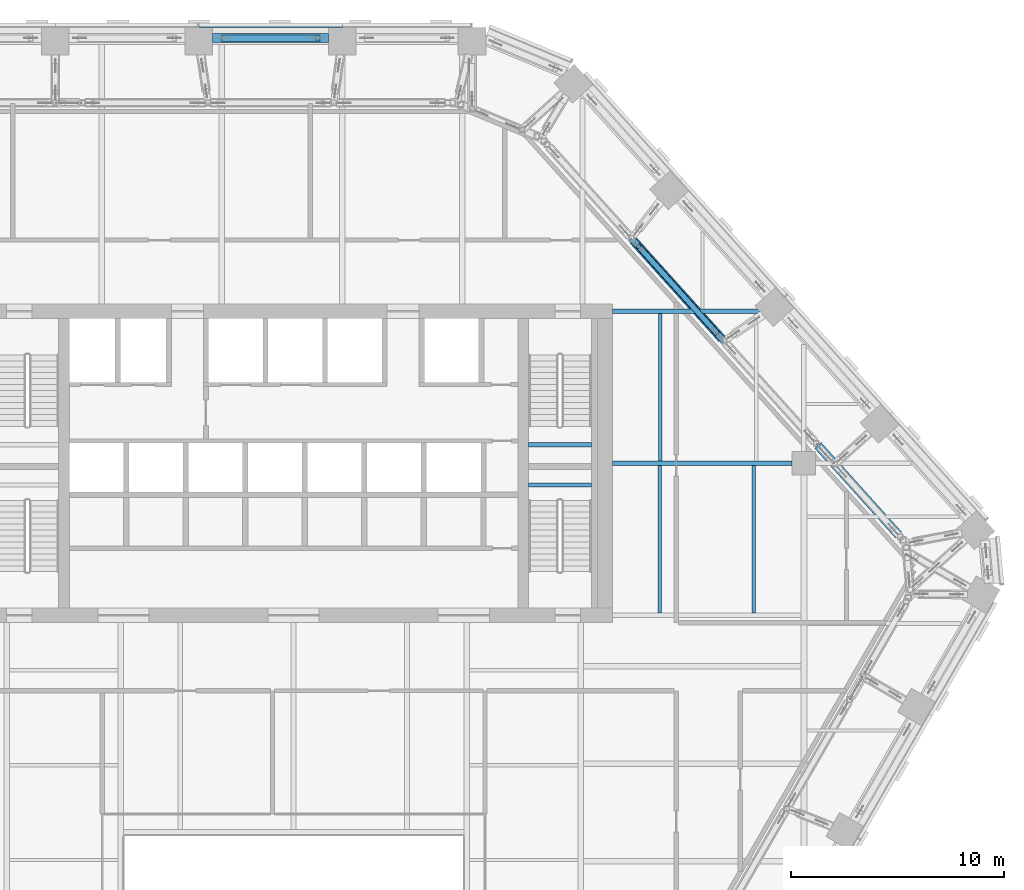
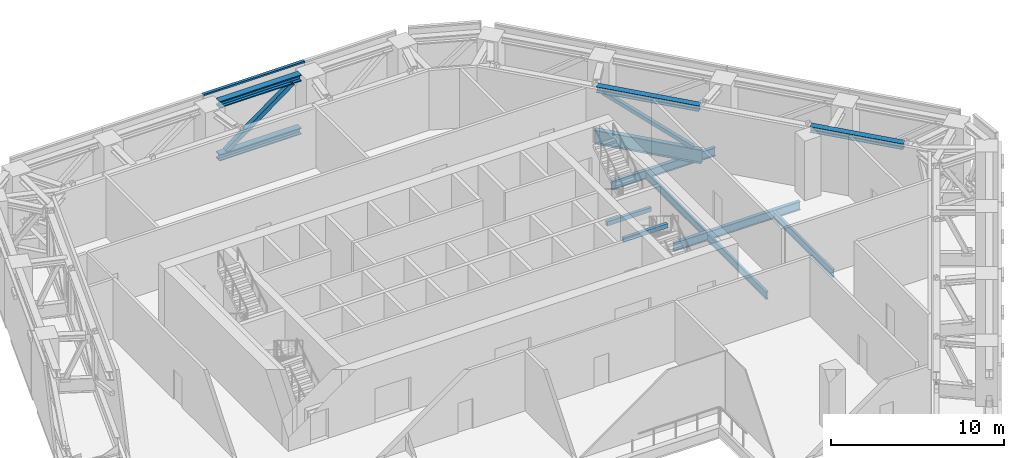
# One storey, part 11 of 26: 8 members, 7 beams, 1 element without a shape of its own.
"""IFC4 building model written with IfcOpenShell, lengths in metres."""

import ifcopenshell
import ifcopenshell.guid

model = None  # the IFC model being written
_history = None  # IfcOwnerHistory: only IFC2X3 demands one
_inside = {}  # id of a spatial element -> (the spatial element, [elements in it])
_under = {}  # id of a project, library or spatial element -> (it, [spatial elements below it])
_declared = {}  # id of a project -> (the project, [libraries it declares])
_typed = {}  # id of a type object -> (the type object, [elements of that type])
_made_of = {}  # id of a material, layer set ... -> (it, [elements and type objects made of it])


def new_model(schema):
    """Start an empty IFC model of exactly this schema.

    Asked for "IFC4X3", IfcOpenShell would pick the latest addendum, in which some entities
    have other attributes; the version numbers below select the first issue.
    IFC2X3 requires an IfcOwnerHistory on every rooted entity: one is made here for all.
    """
    global model, _history
    if schema == "IFC4X3":
        model = ifcopenshell.file(schema_version=(4, 3, 0, 0))
    else:
        model = ifcopenshell.file(schema=schema)
    _inside.clear()
    _under.clear()
    _declared.clear()
    _typed.clear()
    _made_of.clear()
    _history = None
    if model.schema == "IFC2X3":
        org = make("IfcOrganization", Name="unknown")
        user = make(
            "IfcPersonAndOrganization",
            ThePerson=make("IfcPerson", FamilyName="unknown"),
            TheOrganization=org,
        )
        app = make(
            "IfcApplication",
            ApplicationDeveloper=org,
            Version="unknown",
            ApplicationFullName="unknown",
            ApplicationIdentifier="unknown",
        )
        _history = make(
            "IfcOwnerHistory",
            OwningUser=user,
            OwningApplication=app,
            ChangeAction="ADDED",
            CreationDate=0,
        )
    return model


def make(cls, **values):
    """One entity of the class cls with the attributes given. An attribute that is None is left unset."""
    return model.create_entity(
        cls, **{name: value for name, value in values.items() if value is not None}
    )


def rooted(cls, **values):
    """An entity with a GlobalId (a new one), such as an element, a storey or a relation."""
    return make(cls, GlobalId=ifcopenshell.guid.new(), OwnerHistory=_history, **values)


def si_unit(unit_type, name, prefix=None):
    """IfcSIUnit, for example si_unit("LENGTHUNIT", "METRE", prefix="MILLI")."""
    return make("IfcSIUnit", UnitType=unit_type, Prefix=prefix, Name=name)


def assignment(units):
    """IfcUnitAssignment: the units of a project."""
    return None if units is None else make("IfcUnitAssignment", Units=units)


def point(xyz):
    """IfcCartesianPoint."""
    return None if xyz is None else make("IfcCartesianPoint", Coordinates=xyz)


def direction(xyz):
    """IfcDirection."""
    return None if xyz is None else make("IfcDirection", DirectionRatios=xyz)


def frame(location, z_axis=None, x_axis=None):
    """IfcAxis2Placement3D, a coordinate frame: its origin and axes. An axis left out is left unset."""
    return make(
        "IfcAxis2Placement3D",
        Location=point(location),
        Axis=direction(z_axis),
        RefDirection=direction(x_axis),
    )


def frame_2d(location, x_axis=None):
    """IfcAxis2Placement2D, a coordinate frame in the plane: its origin and x axis."""
    return make(
        "IfcAxis2Placement2D", Location=point(location), RefDirection=direction(x_axis)
    )


def origin():
    """The frame at (0, 0, 0) with its axes left unset."""
    return frame((0.0, 0.0, 0.0))


def origin_2d():
    """The frame at (0, 0) in the plane with its x axis left unset."""
    return frame_2d((0.0, 0.0))


def place(relative_to, where):
    """IfcLocalPlacement: puts the frame where relative to a parent placement (None: the world)."""
    return make(
        "IfcLocalPlacement", PlacementRelTo=relative_to, RelativePlacement=where
    )


def context(
    kind, dimensions, precision=None, world=None, true_north=None, identifier=None
):
    """IfcGeometricRepresentationContext, for example the 3D "Model" context."""
    return make(
        "IfcGeometricRepresentationContext",
        ContextIdentifier=identifier,
        ContextType=kind,
        CoordinateSpaceDimension=dimensions,
        Precision=precision,
        WorldCoordinateSystem=world,
        TrueNorth=true_north,
    )


def subcontext(parent, identifier, kind, view, scale=None):
    """IfcGeometricRepresentationSubContext, for example "Body" below "Model"."""
    return make(
        "IfcGeometricRepresentationSubContext",
        ContextIdentifier=identifier,
        ContextType=kind,
        ParentContext=parent,
        TargetScale=scale,
        TargetView=view,
    )


def project(units=None, contexts=None):
    """IfcProject with its units and contexts."""
    return rooted(
        "IfcProject",
        Name="project",
        RepresentationContexts=contexts,
        UnitsInContext=assignment(units),
    )


def spatial(cls, under=None, at=None, **own):
    """A site, building, storey or space (cls), placed at a placement, below another one or the project."""
    s = rooted(cls, ObjectPlacement=at, **own)
    if under is not None:
        _under.setdefault(under.id(), (under, []))[1].append(s)
    return s


def profile(cls, at=None, kind="AREA", **sizes):
    """A parametric profile (cls). Its sizes go by their IFC names, for example OverallWidth=200.0."""
    return make(cls, ProfileType=kind, Position=at, **sizes)


def rectangle(**sizes):
    """IfcRectangleProfileDef."""
    return profile("IfcRectangleProfileDef", **sizes)


def hollow_rectangle(**sizes):
    """IfcRectangleHollowProfileDef."""
    return profile("IfcRectangleHollowProfileDef", **sizes)


def i_section(**sizes):
    """IfcIShapeProfileDef."""
    return profile("IfcIShapeProfileDef", **sizes)


def extrude(swept, where, along, depth):
    """IfcExtrudedAreaSolid: the profile swept, set in the frame where, extruded along a direction by depth."""
    return make(
        "IfcExtrudedAreaSolid",
        SweptArea=swept,
        Position=where,
        ExtrudedDirection=direction(along),
        Depth=depth,
    )


def shape(context_of_items, identifier, shape_type, items):
    """IfcShapeRepresentation: the items that make up one representation, for example the "Body"."""
    return make(
        "IfcShapeRepresentation",
        ContextOfItems=context_of_items,
        RepresentationIdentifier=identifier,
        RepresentationType=shape_type,
        Items=items,
    )


def material(Name=None, Category=None):
    """IfcMaterial."""
    return make("IfcMaterial", Name=Name, Category=Category)


def layer(
    of_material, thickness, ventilated=None, Name=None, Category=None, Priority=None
):
    """IfcMaterialLayer: one layer of a wall or slab, of a material (None: an air gap)."""
    return make(
        "IfcMaterialLayer",
        Material=of_material,
        LayerThickness=thickness,
        IsVentilated=ventilated,
        Name=Name,
        Category=Category,
        Priority=Priority,
    )


def layer_set(layers, Name=None):
    """IfcMaterialLayerSet."""
    return make("IfcMaterialLayerSet", MaterialLayers=layers, LayerSetName=Name)


def material_profile(
    of_material, cross_section, Name=None, Category=None, Priority=None
):
    """IfcMaterialProfile: a cross section and its material."""
    return make(
        "IfcMaterialProfile",
        Name=Name,
        Material=of_material,
        Profile=cross_section,
        Priority=Priority,
        Category=Category,
    )


def profile_set(profiles, Name=None, composite=None):
    """IfcMaterialProfileSet."""
    return make(
        "IfcMaterialProfileSet",
        Name=Name,
        MaterialProfiles=profiles,
        CompositeProfile=composite,
    )


def made_of(thing, what):
    """Note that an element or type object is made of a material, layer set ...; save() writes the relation."""
    if what is not None:
        _made_of.setdefault(what.id(), (what, []))[1].append(thing)
    return thing


def type_object(cls, material=None, **own):
    """A type object (cls), such as IfcWallType, which elements share."""
    return made_of(rooted(cls, **own), material)


def element(
    cls,
    number,
    at=None,
    inside=None,
    cuts=None,
    type_object=None,
    material=None,
    context=None,
    identifier="Body",
    shape_type=None,
    held_by="IfcProductDefinitionShape",
    body=None,
    shapes=None,
    **own,
):
    """One element of the class cls, such as IfcWall. Its Tag is "e" and its number.

    at: its placement. inside: the storey or other place that contains it. cuts: it is an
    opening in that element (IfcRelVoidsElement). A single representation is given by context,
    identifier, shape_type and body (its items); several are given by shapes. held_by: the class
    of the entity that holds the representations. save() writes the other relations.
    """
    e = rooted(cls, Tag="e%d" % number, ObjectPlacement=at, **own)
    if body is not None:
        shapes = [shape(context, identifier, shape_type, body)]
    if shapes is not None:
        e.Representation = make(held_by, Representations=shapes)
    if inside is not None:
        _inside.setdefault(inside.id(), (inside, []))[1].append(e)
    if cuts is not None:
        rooted(
            "IfcRelVoidsElement", RelatingBuildingElement=cuts, RelatedOpeningElement=e
        )
    if type_object is not None:
        _typed.setdefault(type_object.id(), (type_object, []))[1].append(e)
    return made_of(e, material)


def aggregate(whole, parts):
    """IfcRelAggregates: a whole, such as a stair, and the parts it consists of."""
    return rooted("IfcRelAggregates", RelatingObject=whole, RelatedObjects=parts)


def save(model, path):
    """Write the relations noted so far, then the file.

    IfcRelAggregates (storeys below a building ...), IfcRelContainedInSpatialStructure (elements
    in a storey), IfcRelDefinesByType, IfcRelAssociatesMaterial and IfcRelDeclares: one each for
    every whole, place, type object, material and project.
    """
    for whole, parts in _under.values():
        aggregate(whole, parts)
    for where, things in _inside.values():
        rooted(
            "IfcRelContainedInSpatialStructure",
            RelatedElements=things,
            RelatingStructure=where,
        )
    for kind, things in _typed.values():
        rooted("IfcRelDefinesByType", RelatedObjects=things, RelatingType=kind)
    for what, things in _made_of.values():
        rooted("IfcRelAssociatesMaterial", RelatedObjects=things, RelatingMaterial=what)
    for by, libraries in _declared.values():
        rooted("IfcRelDeclares", RelatingContext=by, RelatedDefinitions=libraries)
    model.write(path)


model = new_model("IFC4")

# Units and contexts
model_context = context("Model", 3, precision=1e-05, world=origin(), true_north=direction((0.0, 1.0)))
body_context = subcontext(model_context, "Body", "Model", "MODEL_VIEW")
ifc_project = project(units=[si_unit("LENGTHUNIT", "METRE"), si_unit("AREAUNIT", "SQUARE_METRE"), si_unit("VOLUMEUNIT", "CUBIC_METRE"), si_unit("PLANEANGLEUNIT", "RADIAN"), si_unit("MASSUNIT", "GRAM", prefix="KILO")], contexts=[model_context])

# Site, building, storey
site_placement = place(None, origin())
site = spatial("IfcSite", under=ifc_project, at=site_placement, CompositionType="ELEMENT")
building_placement = place(site_placement, origin())
building = spatial("IfcBuilding", under=site, at=building_placement, Name="Isthmus Gate Tower", CompositionType="ELEMENT")
storey_placement = place(building_placement, frame((0.0, 0.0, 207.300048828125)))
storey = spatial("IfcBuildingStorey", under=building, at=storey_placement, Name="L52", CompositionType="ELEMENT", Elevation=207.300048828125)

# Members
ifc_material_1 = material(Name="Structural steel ASTM A913 Gr 65", Category="steel")
ifc_material_profile_1 = material_profile(ifc_material_1, i_section(OverallWidth=0.42236328125, OverallDepth=0.46337890625, WebThickness=0.04443359375, FlangeThickness=0.072998046875, at=origin_2d()), Name="W14X398")
ifc_profile_set_1 = profile_set([ifc_material_profile_1], Name="Structural steel ASTM A913 Gr 65")
member_type_1 = type_object("IfcMemberType", Name="BELT TRUSS CHORD W14X398", PredefinedType="CHORD", material=ifc_profile_set_1)
for number, where, z_axis, x_axis, name in (
    (1, (-3.811767578125, 27.5, 0.231689453125), (1.0, 0.0, 0.0), (0.0, 1.0, 0.0), "str-belt28-L52-01"),
    (2, (-3.811767578125, 27.5, 3.96826171875), (1.0, 0.0, 0.0), (0.0, 1.0, 0.0), "str-belt28-L52-02"),
):
    element("IfcMember", number, at=place(storey_placement, frame(where, z_axis=z_axis, x_axis=x_axis)), inside=storey, type_object=member_type_1, Name=name, PredefinedType="CHORD", context=body_context, shape_type="SweptSolid", body=[
        extrude(i_section(OverallWidth=0.42236328125, OverallDepth=0.46337890625, WebThickness=0.04443359375, FlangeThickness=0.072998046875, at=origin_2d()), origin(), (0.0, 0.0, 1.0), 5.4501953125),
    ])

# Curtain wall, member
ifc_material_2 = material(Name="Aluminium, pale champagne anodised", Category="aluminium")
ifc_layer = layer(ifc_material_2, 0.199951171875)
ifc_layer_set = layer_set([ifc_layer], Name="CW-2 LOUVRE CURTAIN WALL 200 DEEP")
curtain_wall_type = type_object("IfcCurtainWallType", Name="CW-2 LOUVRE CURTAIN WALL 200 DEEP", PredefinedType="NOTDEFINED", material=ifc_layer_set)
curtain_wall_placement = place(storey_placement, origin())
curtain_wall = element("IfcCurtainWall", 3, at=curtain_wall_placement, inside=storey, type_object=curtain_wall_type, Name="CW-2 N L52", PredefinedType="NOTDEFINED")
ifc_material_3 = material(Name="Aluminium, pale champagne anodised", Category="aluminium")
ifc_material_profile_2 = material_profile(ifc_material_3, rectangle(XDim=0.199951171875, YDim=0.110107421875, at=origin_2d()), Name="200x110")
ifc_profile_set_2 = profile_set([ifc_material_profile_2], Name="Aluminium, pale champagne anodised")
member_type_2 = type_object("IfcMemberType", Name="CW-2 TRANSOM 200 X 110", PredefinedType="USERDEFINED", material=ifc_profile_set_2)
member_1_placement = place(storey_placement, frame((2.288330078125, 28.10009765625, 4.445068359375), z_axis=(-1.0, 0.0, 0.0), x_axis=(0.0, -1.0, 0.0)))
member_1 = element("IfcMember", 4, at=member_1_placement, type_object=member_type_2, Name="CW-2 transom", ObjectType="TRANSOM", PredefinedType="USERDEFINED", context=body_context, shape_type="SweptSolid", body=[
    extrude(rectangle(XDim=0.199951171875, YDim=0.110107421875, at=origin_2d()), origin(), (0.0, 0.0, 1.0), 6.75),
])
aggregate(curtain_wall, [member_1])

# Beams
ifc_material_4 = material(Name="Concrete f'c 40 MPa", Category="concrete")
ifc_material_profile_3 = material_profile(ifc_material_4, rectangle(XDim=0.199951171875, YDim=0.300048828125, at=origin_2d()), Name="STAIR LANDING BEAM RC 200 X 300")
ifc_profile_set_3 = profile_set([ifc_material_profile_3], Name="Concrete f'c 40 MPa")
beam_type_1 = type_object("IfcBeamType", Name="STAIR LANDING BEAM RC 200 X 300", PredefinedType="BEAM", material=ifc_profile_set_3)
for number, where, z_axis, x_axis, name in (
    (5, (11.050048828125, 8.3701171875, 1.89990234375), (1.0, 0.0, 0.0), (0.0, 1.0, 0.0), "L52 ST2 landing beam 1"),
    (6, (11.050048828125, 6.47998046875, 1.89990234375), (1.0, 0.0, 0.0), (0.0, 1.0, 0.0), "L52 ST8 landing beam 1"),
):
    element("IfcBeam", number, at=place(storey_placement, frame(where, z_axis=z_axis, x_axis=x_axis)), inside=storey, type_object=beam_type_1, Name=name, PredefinedType="BEAM", context=body_context, shape_type="SweptSolid", body=[
        extrude(rectangle(XDim=0.199951171875, YDim=0.300048828125, at=origin_2d()), origin(), (0.0, 0.0, 1.0), 2.949951171875),
    ])
ifc_material_5 = material(Name="Structural steel ASTM A992 Gr 50", Category="steel")
ifc_material_profile_4 = material_profile(ifc_material_5, i_section(OverallWidth=0.1650390625, OverallDepth=0.52392578125, WebThickness=0.009521484375, FlangeThickness=0.010986328125, at=origin_2d()), Name="W21X44")
ifc_profile_set_4 = profile_set([ifc_material_profile_4], Name="Structural steel ASTM A992 Gr 50")
beam_type_2 = type_object("IfcBeamType", Name="STEEL FLOOR BEAM W21X44", PredefinedType="JOIST", material=ifc_profile_set_4)
for number, where, z_axis, x_axis, name in (
    (7, (17.25, 7.6142578125, -0.56201171875), (0.0, 1.0, 0.0), (-1.0, 0.0, 0.0), "str-beam-L52-13-00"),
    (8, (17.216552734375, 0.46435546875, -0.56201171875), (0.0, 1.0, 0.0), (-1.0, 0.0, 0.0), "str-beam-L52-14-00"),
    (9, (21.64990234375, 0.46435546875, -0.56201171875), (0.0, 1.0, 0.0), (-1.0, 0.0, 0.0), "str-beam-L52-14-01"),
):
    element("IfcBeam", number, at=place(storey_placement, frame(where, z_axis=z_axis, x_axis=x_axis)), inside=storey, type_object=beam_type_2, Name=name, PredefinedType="JOIST", context=body_context, shape_type="SweptSolid", body=[
        extrude(i_section(OverallWidth=0.1650390625, OverallDepth=0.52392578125, WebThickness=0.009521484375, FlangeThickness=0.010986328125, at=origin_2d()), origin(), (0.0, 0.0, 1.0), 6.92138671875),
    ])
ifc_material_6 = material(Name="Structural steel ASTM A992 Gr 50", Category="steel")
ifc_material_profile_5 = material_profile(ifc_material_6, i_section(OverallWidth=0.228515625, OverallDepth=0.603271484375, WebThickness=0.010986328125, FlangeThickness=0.014404296875, at=origin_2d()), Name="W24X68")
ifc_profile_set_5 = profile_set([ifc_material_profile_5], Name="Structural steel ASTM A992 Gr 50")
beam_type_3 = type_object("IfcBeamType", Name="STEEL GIRDER W24X68", PredefinedType="BEAM", material=ifc_profile_set_5)
beam_1_placement = place(storey_placement, frame((15.0, 14.64990234375, -0.6015625), z_axis=(1.0, 0.0, 0.0), x_axis=(0.0, 1.0, 0.0)))
element("IfcBeam", 10, at=beam_1_placement, inside=storey, type_object=beam_type_3, Name="str-girder-L52-16", PredefinedType="BEAM", context=body_context, shape_type="SweptSolid", body=[
    extrude(i_section(OverallWidth=0.228515625, OverallDepth=0.603271484375, WebThickness=0.010986328125, FlangeThickness=0.014404296875, at=origin_2d()), origin(), (0.0, 0.0, 1.0), 6.9140625),
])
ifc_material_7 = material(Name="Structural steel ASTM A992 Gr 50", Category="steel")
ifc_material_profile_6 = material_profile(ifc_material_7, i_section(OverallWidth=0.228515625, OverallDepth=0.6064453125, WebThickness=0.010986328125, FlangeThickness=0.017578125, at=origin_2d()), Name="W24X76")
ifc_profile_set_6 = profile_set([ifc_material_profile_6], Name="Structural steel ASTM A992 Gr 50")
beam_type_4 = type_object("IfcBeamType", Name="STEEL GIRDER W24X76", PredefinedType="BEAM", material=ifc_profile_set_6)
beam_2_placement = place(storey_placement, frame((15.0, 7.5, -0.603271484375), z_axis=(1.0, 0.0, 0.0), x_axis=(0.0, 1.0, 0.0)))
element("IfcBeam", 11, at=beam_2_placement, inside=storey, type_object=beam_type_4, Name="str-girder-L52-05", PredefinedType="BEAM", context=body_context, shape_type="SweptSolid", body=[
    extrude(i_section(OverallWidth=0.228515625, OverallDepth=0.6064453125, WebThickness=0.010986328125, FlangeThickness=0.017578125, at=origin_2d()), origin(), (0.0, 0.0, 1.0), 8.449951171875),
])

# Members
ifc_material_8 = material(Name="Structural steel ASTM A913 Gr 65", Category="steel")
ifc_material_profile_7 = material_profile(ifc_material_8, i_section(OverallWidth=0.406494140625, OverallDepth=0.416015625, WebThickness=0.0302734375, FlangeThickness=0.047607421875, at=origin_2d()), Name="W14X257")
ifc_profile_set_7 = profile_set([ifc_material_profile_7], Name="Structural steel ASTM A913 Gr 65")
member_type_3 = type_object("IfcMemberType", Name="TRANSFER TRUSS CHORD W14X257", PredefinedType="CHORD", material=ifc_profile_set_7)
member_2_placement = place(storey_placement, frame((15.974609375, 17.98193359375, 3.89208984375), z_axis=(0.669133373124, -0.743142334262, 0.0), x_axis=(0.743142334262, 0.669133373124, 0.0)))
element("IfcMember", 12, at=member_2_placement, inside=storey, type_object=member_type_3, Name="str-ring01-L52-15", PredefinedType="CHORD", context=body_context, shape_type="SweptSolid", body=[
    extrude(i_section(OverallWidth=0.406494140625, OverallDepth=0.416015625, WebThickness=0.0302734375, FlangeThickness=0.047607421875, at=origin_2d()), origin(), (0.0, 0.0, 1.0), 6.238037109375),
])
member_3_placement = place(storey_placement, frame((24.66259765625, 8.3330078125, 3.89208984375), z_axis=(0.669110241028, -0.743163161999, 0.0), x_axis=(0.743163161999, 0.669110241028, 0.0)))
element("IfcMember", 13, at=member_3_placement, inside=storey, type_object=member_type_3, Name="str-ring01-L52-17", PredefinedType="CHORD", context=body_context, shape_type="SweptSolid", body=[
    extrude(i_section(OverallWidth=0.406494140625, OverallDepth=0.416015625, WebThickness=0.0302734375, FlangeThickness=0.047607421875, at=origin_2d()), origin(), (0.0, 0.0, 1.0), 5.654052734375),
])
ifc_material_9 = material(Name="Structural steel ASTM A913 Gr 65", Category="steel")
ifc_material_profile_8 = material_profile(ifc_material_9, i_section(OverallWidth=0.29833984375, OverallDepth=0.981201171875, WebThickness=0.015869140625, FlangeThickness=0.025390625, at=origin_2d()), Name="W40X167")
ifc_profile_set_8 = profile_set([ifc_material_profile_8], Name="Structural steel ASTM A913 Gr 65")
member_type_4 = type_object("IfcMemberType", Name="TRANSFER TRUSS CHORD W40X167", PredefinedType="CHORD", material=ifc_profile_set_8)
member_4_placement = place(storey_placement, frame((15.8896484375, 18.076171875, 0.490478515625), z_axis=(0.669133008897, -0.743142662216, 0.0), x_axis=(0.743142662216, 0.669133008897, 0.0)))
element("IfcMember", 14, at=member_4_placement, inside=storey, type_object=member_type_4, Name="str-ring01-L52-10", PredefinedType="CHORD", context=body_context, shape_type="SweptSolid", body=[
    extrude(i_section(OverallWidth=0.29833984375, OverallDepth=0.981201171875, WebThickness=0.015869140625, FlangeThickness=0.025390625, at=origin_2d()), origin(), (0.0, 0.0, 1.0), 6.491943359375),
])
ifc_material_10 = material(Name="Structural steel ASTM A500 Gr C", Category="steel")
ifc_material_profile_9 = material_profile(ifc_material_10, hollow_rectangle(XDim=0.25390625, YDim=0.25390625, WallThickness=0.01171875, at=origin_2d()), Name="HSS10X10X1/2")
ifc_profile_set_9 = profile_set([ifc_material_profile_9], Name="Structural steel ASTM A500 Gr C")
member_type_5 = type_object("IfcMemberType", Name="TRANSFER TRUSS DIAGONAL HSS10X10X1/2", PredefinedType="BRACE", material=ifc_profile_set_9)
member_5_placement = place(storey_placement, frame((19.899169921875, 13.623291015625, 0.98095703125), z_axis=(-0.600374209157, 0.666741224638, 0.441595910701), x_axis=(-0.743123922972, -0.669153820213, 0.0)))
element("IfcMember", 15, at=member_5_placement, inside=storey, type_object=member_type_5, Name="str-ring01-L52-20", PredefinedType="BRACE", context=body_context, shape_type="SweptSolid", body=[
    extrude(hollow_rectangle(XDim=0.25390625, YDim=0.25390625, WallThickness=0.01171875, at=origin_2d()), origin(), (0.0, 0.0, 1.0), 6.121337890625),
])
ifc_material_11 = material(Name="Structural steel ASTM A500 Gr C", Category="steel")
ifc_material_profile_10 = material_profile(ifc_material_11, hollow_rectangle(XDim=0.3046875, YDim=0.3046875, WallThickness=0.014892578125, at=origin_2d()), Name="HSS12X12X5/8")
ifc_profile_set_10 = profile_set([ifc_material_profile_10], Name="Structural steel ASTM A500 Gr C")
member_type_6 = type_object("IfcMemberType", Name="TRUSS DIAGONAL HSS12X12X5/8", PredefinedType="BRACE", material=ifc_profile_set_10)
member_6_placement = place(storey_placement, frame((-3.311767578125, 27.5, 0.46337890625), z_axis=(0.805565395723, 0.0, 0.592506871871), x_axis=(0.0, 1.0, 0.0)))
element("IfcMember", 16, at=member_6_placement, inside=storey, type_object=member_type_6, Name="str-belt28-L52-03", PredefinedType="BRACE", context=body_context, shape_type="SweptSolid", body=[
    extrude(hollow_rectangle(XDim=0.3046875, YDim=0.3046875, WallThickness=0.014892578125, at=origin_2d()), origin(), (0.0, 0.0, 1.0), 5.5244140625),
])

save(model, "model.ifc")
